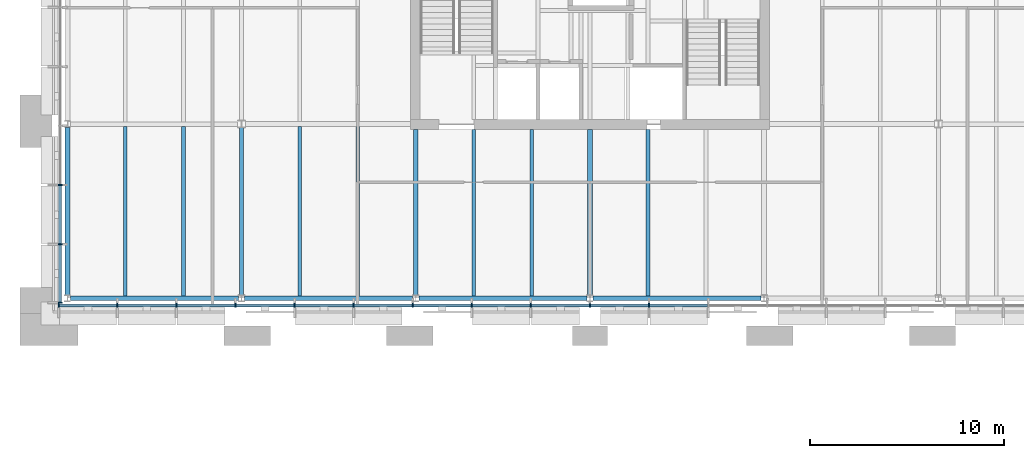
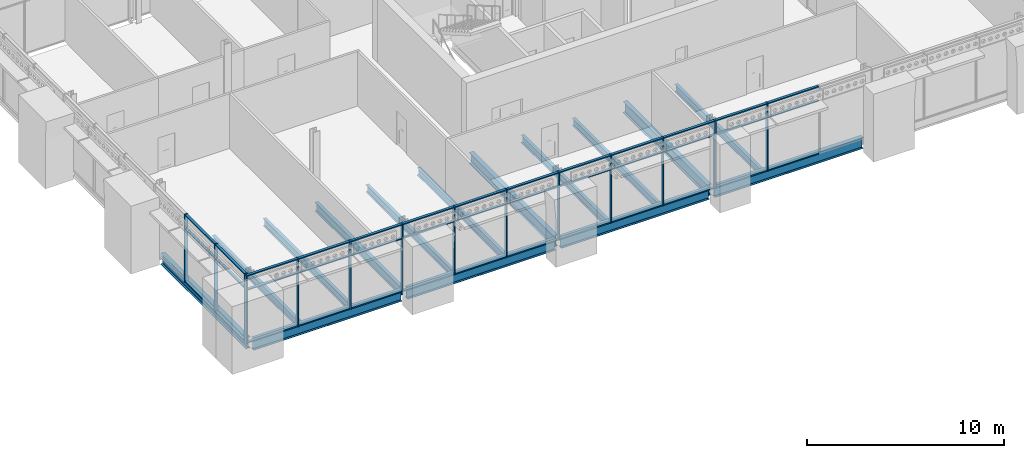
# One storey, part 11 of 37: 53 members, 15 beams, 2 elements without a shape of their own.
"""IFC4 building model written with IfcOpenShell, lengths in metres."""

from ifc_helpers import new_model, si_unit, direction, frame, origin, origin_2d, place, context, subcontext, project, spatial, rectangle, i_section, extrude, material, material_profile, profile_set, type_object, element, aggregate, save


model = new_model("IFC4")

# Units and contexts
model_context = context("Model", 3, precision=1e-05, world=origin(), true_north=direction((0.0, 1.0)))
body_context = subcontext(model_context, "Body", "Model", "MODEL_VIEW")
ifc_project = project(units=[si_unit("LENGTHUNIT", "METRE"), si_unit("AREAUNIT", "SQUARE_METRE"), si_unit("VOLUMEUNIT", "CUBIC_METRE"), si_unit("PLANEANGLEUNIT", "RADIAN"), si_unit("MASSUNIT", "GRAM", prefix="KILO")], contexts=[model_context])

# Site, building, storey
site_placement = place(None, origin())
site = spatial("IfcSite", under=ifc_project, at=site_placement, CompositionType="ELEMENT")
building_placement = place(site_placement, origin())
building = spatial("IfcBuilding", under=site, at=building_placement, Name="Baradari Gate Terminus", CompositionType="ELEMENT")
storey_placement = place(building_placement, frame((0.0, 0.0, 24.300048828125)))
storey = spatial("IfcBuildingStorey", under=building, at=storey_placement, Name="L05", CompositionType="ELEMENT", Elevation=24.300048828125)

# Curtain wall, members
ifc_material_1 = material(Name="Aluminium 6063-T6", Category="aluminium")
curtain_wall_type = type_object("IfcCurtainWallType", Name="Curtain wall CW-1 block unitised, zone L02-L05", PredefinedType="NOTDEFINED", material=ifc_material_1)
curtain_wall_1_placement = place(storey_placement, origin())
curtain_wall_1 = element("IfcCurtainWall", 1, at=curtain_wall_1_placement, inside=storey, type_object=curtain_wall_type, Name="Curtain wall CW-1 Operations block S face L05", PredefinedType="NOTDEFINED")
ifc_material_2 = material(Name="Aluminium 6063-T6", Category="aluminium")
ifc_material_profile_1 = material_profile(ifc_material_2, rectangle(XDim=0.199951171875, YDim=0.06494140625, at=origin_2d()), Name="CM-1 65X200")
ifc_profile_set_1 = profile_set([ifc_material_profile_1], Name="Aluminium 6063-T6")
member_type_1 = type_object("IfcMemberType", Name="Curtain wall mullion CM-1 65x200", PredefinedType="MULLION", material=ifc_profile_set_1)
member_1_placement = place(storey_placement, frame((8.5625, 116.6298828125, 0.0), z_axis=(0.0, 0.0, 1.0), x_axis=(0.0, 1.0, 0.0)))
member_1 = element("IfcMember", 2, at=member_1_placement, type_object=member_type_1, Name="CW-1 mullion 1", PredefinedType="MULLION", context=body_context, shape_type="SweptSolid", body=[
    extrude(rectangle(XDim=0.199951171875, YDim=0.06494140625, at=origin_2d()), origin(), (0.0, 0.0, 1.0), 4.199951171875),
])
member_2_placement = place(storey_placement, frame((11.582275390625, 116.6298828125, 0.0), z_axis=(0.0, 0.0, 1.0), x_axis=(0.0, 1.0, 0.0)))
member_2 = element("IfcMember", 3, at=member_2_placement, type_object=member_type_1, Name="CW-1 mullion 2", PredefinedType="MULLION", context=body_context, shape_type="SweptSolid", body=[
    extrude(rectangle(XDim=0.199951171875, YDim=0.06494140625, at=origin_2d()), origin(), (0.0, 0.0, 1.0), 4.199951171875),
])
member_3_placement = place(storey_placement, frame((14.634521484375, 116.6298828125, 0.0), z_axis=(0.0, 0.0, 1.0), x_axis=(0.0, 1.0, 0.0)))
member_3 = element("IfcMember", 4, at=member_3_placement, type_object=member_type_1, Name="CW-1 mullion 3", PredefinedType="MULLION", context=body_context, shape_type="SweptSolid", body=[
    extrude(rectangle(XDim=0.199951171875, YDim=0.06494140625, at=origin_2d()), origin(), (0.0, 0.0, 1.0), 4.199951171875),
])
member_4_placement = place(storey_placement, frame((17.686767578125, 116.6298828125, 0.0), z_axis=(0.0, 0.0, 1.0), x_axis=(0.0, 1.0, 0.0)))
member_4 = element("IfcMember", 5, at=member_4_placement, type_object=member_type_1, Name="CW-1 mullion 4", PredefinedType="MULLION", context=body_context, shape_type="SweptSolid", body=[
    extrude(rectangle(XDim=0.199951171875, YDim=0.06494140625, at=origin_2d()), origin(), (0.0, 0.0, 1.0), 4.199951171875),
])
member_5_placement = place(storey_placement, frame((20.73876953125, 116.6298828125, 0.0), z_axis=(0.0, 0.0, 1.0), x_axis=(0.0, 1.0, 0.0)))
member_5 = element("IfcMember", 6, at=member_5_placement, type_object=member_type_1, Name="CW-1 mullion 5", PredefinedType="MULLION", context=body_context, shape_type="SweptSolid", body=[
    extrude(rectangle(XDim=0.199951171875, YDim=0.06494140625, at=origin_2d()), origin(), (0.0, 0.0, 1.0), 4.199951171875),
])
member_6_placement = place(storey_placement, frame((23.791015625, 116.6298828125, 0.0), z_axis=(0.0, 0.0, 1.0), x_axis=(0.0, 1.0, 0.0)))
member_6 = element("IfcMember", 7, at=member_6_placement, type_object=member_type_1, Name="CW-1 mullion 6", PredefinedType="MULLION", context=body_context, shape_type="SweptSolid", body=[
    extrude(rectangle(XDim=0.199951171875, YDim=0.06494140625, at=origin_2d()), origin(), (0.0, 0.0, 1.0), 4.199951171875),
])
member_7_placement = place(storey_placement, frame((26.84326171875, 116.6298828125, 0.0), z_axis=(0.0, 0.0, 1.0), x_axis=(0.0, 1.0, 0.0)))
member_7 = element("IfcMember", 8, at=member_7_placement, type_object=member_type_1, Name="CW-1 mullion 7", PredefinedType="MULLION", context=body_context, shape_type="SweptSolid", body=[
    extrude(rectangle(XDim=0.199951171875, YDim=0.06494140625, at=origin_2d()), origin(), (0.0, 0.0, 1.0), 4.199951171875),
])
member_8_placement = place(storey_placement, frame((29.8955078125, 116.6298828125, 0.0), z_axis=(0.0, 0.0, 1.0), x_axis=(0.0, 1.0, 0.0)))
member_8 = element("IfcMember", 9, at=member_8_placement, type_object=member_type_1, Name="CW-1 mullion 8", PredefinedType="MULLION", context=body_context, shape_type="SweptSolid", body=[
    extrude(rectangle(XDim=0.199951171875, YDim=0.06494140625, at=origin_2d()), origin(), (0.0, 0.0, 1.0), 4.199951171875),
])
member_9_placement = place(storey_placement, frame((32.94775390625, 116.6298828125, 0.0), z_axis=(0.0, 0.0, 1.0), x_axis=(0.0, 1.0, 0.0)))
member_9 = element("IfcMember", 10, at=member_9_placement, type_object=member_type_1, Name="CW-1 mullion 9", PredefinedType="MULLION", context=body_context, shape_type="SweptSolid", body=[
    extrude(rectangle(XDim=0.199951171875, YDim=0.06494140625, at=origin_2d()), origin(), (0.0, 0.0, 1.0), 4.199951171875),
])
member_10_placement = place(storey_placement, frame((36.0, 116.6298828125, 0.0), z_axis=(0.0, 0.0, 1.0), x_axis=(0.0, 1.0, 0.0)))
member_10 = element("IfcMember", 11, at=member_10_placement, type_object=member_type_1, Name="CW-1 mullion 10", PredefinedType="MULLION", context=body_context, shape_type="SweptSolid", body=[
    extrude(rectangle(XDim=0.199951171875, YDim=0.06494140625, at=origin_2d()), origin(), (0.0, 0.0, 1.0), 4.199951171875),
])
member_11_placement = place(storey_placement, frame((39.05224609375, 116.6298828125, 0.0), z_axis=(0.0, 0.0, 1.0), x_axis=(0.0, 1.0, 0.0)))
member_11 = element("IfcMember", 12, at=member_11_placement, type_object=member_type_1, Name="CW-1 mullion 11", PredefinedType="MULLION", context=body_context, shape_type="SweptSolid", body=[
    extrude(rectangle(XDim=0.199951171875, YDim=0.06494140625, at=origin_2d()), origin(), (0.0, 0.0, 1.0), 4.199951171875),
])

curtain_wall_2_placement = place(storey_placement, origin())
curtain_wall_2 = element("IfcCurtainWall", 13, at=curtain_wall_2_placement, inside=storey, type_object=curtain_wall_type, Name="Curtain wall CW-1 Operations block W face L05", PredefinedType="NOTDEFINED")
member_12_placement = place(storey_placement, frame((8.6298828125, 116.762451171875, 0.0), z_axis=(0.0, 0.0, 1.0), x_axis=(-1.0, 0.0, 0.0)))
member_12 = element("IfcMember", 14, at=member_12_placement, type_object=member_type_1, Name="CW-1 mullion 1", PredefinedType="MULLION", context=body_context, shape_type="SweptSolid", body=[
    extrude(rectangle(XDim=0.199951171875, YDim=0.06494140625, at=origin_2d()), origin(), (0.0, 0.0, 1.0), 4.199951171875),
])
member_13_placement = place(storey_placement, frame((8.6298828125, 119.7900390625, 0.0), z_axis=(0.0, 0.0, 1.0), x_axis=(-1.0, 0.0, 0.0)))
member_13 = element("IfcMember", 15, at=member_13_placement, type_object=member_type_1, Name="CW-1 mullion 2", PredefinedType="MULLION", context=body_context, shape_type="SweptSolid", body=[
    extrude(rectangle(XDim=0.199951171875, YDim=0.06494140625, at=origin_2d()), origin(), (0.0, 0.0, 1.0), 4.199951171875),
])
member_14_placement = place(storey_placement, frame((8.6298828125, 122.85009765625, 0.0), z_axis=(0.0, 0.0, 1.0), x_axis=(-1.0, 0.0, 0.0)))
member_14 = element("IfcMember", 16, at=member_14_placement, type_object=member_type_1, Name="CW-1 mullion 3", PredefinedType="MULLION", context=body_context, shape_type="SweptSolid", body=[
    extrude(rectangle(XDim=0.199951171875, YDim=0.06494140625, at=origin_2d()), origin(), (0.0, 0.0, 1.0), 4.199951171875),
])

# Member
ifc_material_3 = material(Name="Aluminium 6063-T6", Category="aluminium")
ifc_material_profile_2 = material_profile(ifc_material_3, rectangle(XDim=0.14990234375, YDim=0.06494140625, at=origin_2d()), Name="CT-1 65X150")
ifc_profile_set_2 = profile_set([ifc_material_profile_2], Name="Aluminium 6063-T6")
member_type_2 = type_object("IfcMemberType", Name="Curtain wall transom CT-1 65x150", PredefinedType="USERDEFINED", material=ifc_profile_set_2)
member_15_placement = place(storey_placement, frame((8.594970703125, 116.6298828125, 0.032470703125), z_axis=(1.0, 0.0, 0.0), x_axis=(0.0, 1.0, 0.0)))
member_15 = element("IfcMember", 17, at=member_15_placement, type_object=member_type_2, Name="CW-1 transom 1.1", ObjectType="TRANSOM", PredefinedType="USERDEFINED", context=body_context, shape_type="SweptSolid", body=[
    extrude(rectangle(XDim=0.14990234375, YDim=0.06494140625, at=origin_2d()), origin(), (0.0, 0.0, 1.0), 2.954833984375),
])

member_16_placement = place(storey_placement, frame((8.594970703125, 116.6298828125, 3.300048828125), z_axis=(1.0, 0.0, 0.0), x_axis=(0.0, 1.0, 0.0)))
member_16 = element("IfcMember", 18, at=member_16_placement, type_object=member_type_2, Name="CW-1 transom 1.2", ObjectType="TRANSOM", PredefinedType="USERDEFINED", context=body_context, shape_type="SweptSolid", body=[
    extrude(rectangle(XDim=0.14990234375, YDim=0.06494140625, at=origin_2d()), origin(), (0.0, 0.0, 1.0), 2.954833984375),
])

member_17_placement = place(storey_placement, frame((8.594970703125, 116.6298828125, 4.16748046875), z_axis=(1.0, 0.0, 0.0), x_axis=(0.0, 1.0, 0.0)))
member_17 = element("IfcMember", 19, at=member_17_placement, type_object=member_type_2, Name="CW-1 transom 1.3", ObjectType="TRANSOM", PredefinedType="USERDEFINED", context=body_context, shape_type="SweptSolid", body=[
    extrude(rectangle(XDim=0.14990234375, YDim=0.06494140625, at=origin_2d()), origin(), (0.0, 0.0, 1.0), 2.954833984375),
])

member_18_placement = place(storey_placement, frame((11.61474609375, 116.6298828125, 0.032470703125), z_axis=(1.0, 0.0, 0.0), x_axis=(0.0, 1.0, 0.0)))
member_18 = element("IfcMember", 20, at=member_18_placement, type_object=member_type_2, Name="CW-1 transom 2.1", ObjectType="TRANSOM", PredefinedType="USERDEFINED", context=body_context, shape_type="SweptSolid", body=[
    extrude(rectangle(XDim=0.14990234375, YDim=0.06494140625, at=origin_2d()), origin(), (0.0, 0.0, 1.0), 2.9873046875),
])

member_19_placement = place(storey_placement, frame((11.61474609375, 116.6298828125, 3.300048828125), z_axis=(1.0, 0.0, 0.0), x_axis=(0.0, 1.0, 0.0)))
member_19 = element("IfcMember", 21, at=member_19_placement, type_object=member_type_2, Name="CW-1 transom 2.2", ObjectType="TRANSOM", PredefinedType="USERDEFINED", context=body_context, shape_type="SweptSolid", body=[
    extrude(rectangle(XDim=0.14990234375, YDim=0.06494140625, at=origin_2d()), origin(), (0.0, 0.0, 1.0), 2.9873046875),
])

member_20_placement = place(storey_placement, frame((11.61474609375, 116.6298828125, 4.16748046875), z_axis=(1.0, 0.0, 0.0), x_axis=(0.0, 1.0, 0.0)))
member_20 = element("IfcMember", 22, at=member_20_placement, type_object=member_type_2, Name="CW-1 transom 2.3", ObjectType="TRANSOM", PredefinedType="USERDEFINED", context=body_context, shape_type="SweptSolid", body=[
    extrude(rectangle(XDim=0.14990234375, YDim=0.06494140625, at=origin_2d()), origin(), (0.0, 0.0, 1.0), 2.9873046875),
])

member_21_placement = place(storey_placement, frame((14.6669921875, 116.6298828125, 0.032470703125), z_axis=(1.0, 0.0, 0.0), x_axis=(0.0, 1.0, 0.0)))
member_21 = element("IfcMember", 23, at=member_21_placement, type_object=member_type_2, Name="CW-1 transom 3.1", ObjectType="TRANSOM", PredefinedType="USERDEFINED", context=body_context, shape_type="SweptSolid", body=[
    extrude(rectangle(XDim=0.14990234375, YDim=0.06494140625, at=origin_2d()), origin(), (0.0, 0.0, 1.0), 2.987060546875),
])

member_22_placement = place(storey_placement, frame((14.6669921875, 116.6298828125, 3.300048828125), z_axis=(1.0, 0.0, 0.0), x_axis=(0.0, 1.0, 0.0)))
member_22 = element("IfcMember", 24, at=member_22_placement, type_object=member_type_2, Name="CW-1 transom 3.2", ObjectType="TRANSOM", PredefinedType="USERDEFINED", context=body_context, shape_type="SweptSolid", body=[
    extrude(rectangle(XDim=0.14990234375, YDim=0.06494140625, at=origin_2d()), origin(), (0.0, 0.0, 1.0), 2.987060546875),
])

member_23_placement = place(storey_placement, frame((14.6669921875, 116.6298828125, 4.16748046875), z_axis=(1.0, 0.0, 0.0), x_axis=(0.0, 1.0, 0.0)))
member_23 = element("IfcMember", 25, at=member_23_placement, type_object=member_type_2, Name="CW-1 transom 3.3", ObjectType="TRANSOM", PredefinedType="USERDEFINED", context=body_context, shape_type="SweptSolid", body=[
    extrude(rectangle(XDim=0.14990234375, YDim=0.06494140625, at=origin_2d()), origin(), (0.0, 0.0, 1.0), 2.987060546875),
])

member_24_placement = place(storey_placement, frame((17.71923828125, 116.6298828125, 0.032470703125), z_axis=(1.0, 0.0, 0.0), x_axis=(0.0, 1.0, 0.0)))
member_24 = element("IfcMember", 26, at=member_24_placement, type_object=member_type_2, Name="CW-1 transom 4.1", ObjectType="TRANSOM", PredefinedType="USERDEFINED", context=body_context, shape_type="SweptSolid", body=[
    extrude(rectangle(XDim=0.14990234375, YDim=0.06494140625, at=origin_2d()), origin(), (0.0, 0.0, 1.0), 2.987060546875),
])

member_25_placement = place(storey_placement, frame((17.71923828125, 116.6298828125, 3.300048828125), z_axis=(1.0, 0.0, 0.0), x_axis=(0.0, 1.0, 0.0)))
member_25 = element("IfcMember", 27, at=member_25_placement, type_object=member_type_2, Name="CW-1 transom 4.2", ObjectType="TRANSOM", PredefinedType="USERDEFINED", context=body_context, shape_type="SweptSolid", body=[
    extrude(rectangle(XDim=0.14990234375, YDim=0.06494140625, at=origin_2d()), origin(), (0.0, 0.0, 1.0), 2.987060546875),
])

member_26_placement = place(storey_placement, frame((17.71923828125, 116.6298828125, 4.16748046875), z_axis=(1.0, 0.0, 0.0), x_axis=(0.0, 1.0, 0.0)))
member_26 = element("IfcMember", 28, at=member_26_placement, type_object=member_type_2, Name="CW-1 transom 4.3", ObjectType="TRANSOM", PredefinedType="USERDEFINED", context=body_context, shape_type="SweptSolid", body=[
    extrude(rectangle(XDim=0.14990234375, YDim=0.06494140625, at=origin_2d()), origin(), (0.0, 0.0, 1.0), 2.987060546875),
])

member_27_placement = place(storey_placement, frame((20.771484375, 116.6298828125, 0.032470703125), z_axis=(1.0, 0.0, 0.0), x_axis=(0.0, 1.0, 0.0)))
member_27 = element("IfcMember", 29, at=member_27_placement, type_object=member_type_2, Name="CW-1 transom 5.1", ObjectType="TRANSOM", PredefinedType="USERDEFINED", context=body_context, shape_type="SweptSolid", body=[
    extrude(rectangle(XDim=0.14990234375, YDim=0.06494140625, at=origin_2d()), origin(), (0.0, 0.0, 1.0), 2.987060546875),
])

member_28_placement = place(storey_placement, frame((20.771484375, 116.6298828125, 3.300048828125), z_axis=(1.0, 0.0, 0.0), x_axis=(0.0, 1.0, 0.0)))
member_28 = element("IfcMember", 30, at=member_28_placement, type_object=member_type_2, Name="CW-1 transom 5.2", ObjectType="TRANSOM", PredefinedType="USERDEFINED", context=body_context, shape_type="SweptSolid", body=[
    extrude(rectangle(XDim=0.14990234375, YDim=0.06494140625, at=origin_2d()), origin(), (0.0, 0.0, 1.0), 2.987060546875),
])

member_29_placement = place(storey_placement, frame((20.771484375, 116.6298828125, 4.16748046875), z_axis=(1.0, 0.0, 0.0), x_axis=(0.0, 1.0, 0.0)))
member_29 = element("IfcMember", 31, at=member_29_placement, type_object=member_type_2, Name="CW-1 transom 5.3", ObjectType="TRANSOM", PredefinedType="USERDEFINED", context=body_context, shape_type="SweptSolid", body=[
    extrude(rectangle(XDim=0.14990234375, YDim=0.06494140625, at=origin_2d()), origin(), (0.0, 0.0, 1.0), 2.987060546875),
])

member_30_placement = place(storey_placement, frame((23.82373046875, 116.6298828125, 0.032470703125), z_axis=(1.0, 0.0, 0.0), x_axis=(0.0, 1.0, 0.0)))
member_30 = element("IfcMember", 32, at=member_30_placement, type_object=member_type_2, Name="CW-1 transom 6.1", ObjectType="TRANSOM", PredefinedType="USERDEFINED", context=body_context, shape_type="SweptSolid", body=[
    extrude(rectangle(XDim=0.14990234375, YDim=0.06494140625, at=origin_2d()), origin(), (0.0, 0.0, 1.0), 2.987060546875),
])

member_31_placement = place(storey_placement, frame((23.82373046875, 116.6298828125, 3.300048828125), z_axis=(1.0, 0.0, 0.0), x_axis=(0.0, 1.0, 0.0)))
member_31 = element("IfcMember", 33, at=member_31_placement, type_object=member_type_2, Name="CW-1 transom 6.2", ObjectType="TRANSOM", PredefinedType="USERDEFINED", context=body_context, shape_type="SweptSolid", body=[
    extrude(rectangle(XDim=0.14990234375, YDim=0.06494140625, at=origin_2d()), origin(), (0.0, 0.0, 1.0), 2.987060546875),
])

member_32_placement = place(storey_placement, frame((23.82373046875, 116.6298828125, 4.16748046875), z_axis=(1.0, 0.0, 0.0), x_axis=(0.0, 1.0, 0.0)))
member_32 = element("IfcMember", 34, at=member_32_placement, type_object=member_type_2, Name="CW-1 transom 6.3", ObjectType="TRANSOM", PredefinedType="USERDEFINED", context=body_context, shape_type="SweptSolid", body=[
    extrude(rectangle(XDim=0.14990234375, YDim=0.06494140625, at=origin_2d()), origin(), (0.0, 0.0, 1.0), 2.987060546875),
])

member_33_placement = place(storey_placement, frame((26.875732421875, 116.6298828125, 0.032470703125), z_axis=(1.0, 0.0, 0.0), x_axis=(0.0, 1.0, 0.0)))
member_33 = element("IfcMember", 35, at=member_33_placement, type_object=member_type_2, Name="CW-1 transom 7.1", ObjectType="TRANSOM", PredefinedType="USERDEFINED", context=body_context, shape_type="SweptSolid", body=[
    extrude(rectangle(XDim=0.14990234375, YDim=0.06494140625, at=origin_2d()), origin(), (0.0, 0.0, 1.0), 2.9873046875),
])

member_34_placement = place(storey_placement, frame((26.875732421875, 116.6298828125, 3.300048828125), z_axis=(1.0, 0.0, 0.0), x_axis=(0.0, 1.0, 0.0)))
member_34 = element("IfcMember", 36, at=member_34_placement, type_object=member_type_2, Name="CW-1 transom 7.2", ObjectType="TRANSOM", PredefinedType="USERDEFINED", context=body_context, shape_type="SweptSolid", body=[
    extrude(rectangle(XDim=0.14990234375, YDim=0.06494140625, at=origin_2d()), origin(), (0.0, 0.0, 1.0), 2.9873046875),
])

member_35_placement = place(storey_placement, frame((26.875732421875, 116.6298828125, 4.16748046875), z_axis=(1.0, 0.0, 0.0), x_axis=(0.0, 1.0, 0.0)))
member_35 = element("IfcMember", 37, at=member_35_placement, type_object=member_type_2, Name="CW-1 transom 7.3", ObjectType="TRANSOM", PredefinedType="USERDEFINED", context=body_context, shape_type="SweptSolid", body=[
    extrude(rectangle(XDim=0.14990234375, YDim=0.06494140625, at=origin_2d()), origin(), (0.0, 0.0, 1.0), 2.9873046875),
])

member_36_placement = place(storey_placement, frame((29.927978515625, 116.6298828125, 0.032470703125), z_axis=(1.0, 0.0, 0.0), x_axis=(0.0, 1.0, 0.0)))
member_36 = element("IfcMember", 38, at=member_36_placement, type_object=member_type_2, Name="CW-1 transom 8.1", ObjectType="TRANSOM", PredefinedType="USERDEFINED", context=body_context, shape_type="SweptSolid", body=[
    extrude(rectangle(XDim=0.14990234375, YDim=0.06494140625, at=origin_2d()), origin(), (0.0, 0.0, 1.0), 2.9873046875),
])

member_37_placement = place(storey_placement, frame((29.927978515625, 116.6298828125, 3.300048828125), z_axis=(1.0, 0.0, 0.0), x_axis=(0.0, 1.0, 0.0)))
member_37 = element("IfcMember", 39, at=member_37_placement, type_object=member_type_2, Name="CW-1 transom 8.2", ObjectType="TRANSOM", PredefinedType="USERDEFINED", context=body_context, shape_type="SweptSolid", body=[
    extrude(rectangle(XDim=0.14990234375, YDim=0.06494140625, at=origin_2d()), origin(), (0.0, 0.0, 1.0), 2.9873046875),
])

member_38_placement = place(storey_placement, frame((29.927978515625, 116.6298828125, 4.16748046875), z_axis=(1.0, 0.0, 0.0), x_axis=(0.0, 1.0, 0.0)))
member_38 = element("IfcMember", 40, at=member_38_placement, type_object=member_type_2, Name="CW-1 transom 8.3", ObjectType="TRANSOM", PredefinedType="USERDEFINED", context=body_context, shape_type="SweptSolid", body=[
    extrude(rectangle(XDim=0.14990234375, YDim=0.06494140625, at=origin_2d()), origin(), (0.0, 0.0, 1.0), 2.9873046875),
])

member_39_placement = place(storey_placement, frame((32.980224609375, 116.6298828125, 0.032470703125), z_axis=(1.0, 0.0, 0.0), x_axis=(0.0, 1.0, 0.0)))
member_39 = element("IfcMember", 41, at=member_39_placement, type_object=member_type_2, Name="CW-1 transom 9.1", ObjectType="TRANSOM", PredefinedType="USERDEFINED", context=body_context, shape_type="SweptSolid", body=[
    extrude(rectangle(XDim=0.14990234375, YDim=0.06494140625, at=origin_2d()), origin(), (0.0, 0.0, 1.0), 2.9873046875),
])

member_40_placement = place(storey_placement, frame((32.980224609375, 116.6298828125, 3.300048828125), z_axis=(1.0, 0.0, 0.0), x_axis=(0.0, 1.0, 0.0)))
member_40 = element("IfcMember", 42, at=member_40_placement, type_object=member_type_2, Name="CW-1 transom 9.2", ObjectType="TRANSOM", PredefinedType="USERDEFINED", context=body_context, shape_type="SweptSolid", body=[
    extrude(rectangle(XDim=0.14990234375, YDim=0.06494140625, at=origin_2d()), origin(), (0.0, 0.0, 1.0), 2.9873046875),
])

member_41_placement = place(storey_placement, frame((32.980224609375, 116.6298828125, 4.16748046875), z_axis=(1.0, 0.0, 0.0), x_axis=(0.0, 1.0, 0.0)))
member_41 = element("IfcMember", 43, at=member_41_placement, type_object=member_type_2, Name="CW-1 transom 9.3", ObjectType="TRANSOM", PredefinedType="USERDEFINED", context=body_context, shape_type="SweptSolid", body=[
    extrude(rectangle(XDim=0.14990234375, YDim=0.06494140625, at=origin_2d()), origin(), (0.0, 0.0, 1.0), 2.9873046875),
])

member_42_placement = place(storey_placement, frame((36.032470703125, 116.6298828125, 0.032470703125), z_axis=(1.0, 0.0, 0.0), x_axis=(0.0, 1.0, 0.0)))
member_42 = element("IfcMember", 44, at=member_42_placement, type_object=member_type_2, Name="CW-1 transom 10.1", ObjectType="TRANSOM", PredefinedType="USERDEFINED", context=body_context, shape_type="SweptSolid", body=[
    extrude(rectangle(XDim=0.14990234375, YDim=0.06494140625, at=origin_2d()), origin(), (0.0, 0.0, 1.0), 2.9873046875),
])

member_43_placement = place(storey_placement, frame((36.032470703125, 116.6298828125, 3.300048828125), z_axis=(1.0, 0.0, 0.0), x_axis=(0.0, 1.0, 0.0)))
member_43 = element("IfcMember", 45, at=member_43_placement, type_object=member_type_2, Name="CW-1 transom 10.2", ObjectType="TRANSOM", PredefinedType="USERDEFINED", context=body_context, shape_type="SweptSolid", body=[
    extrude(rectangle(XDim=0.14990234375, YDim=0.06494140625, at=origin_2d()), origin(), (0.0, 0.0, 1.0), 2.9873046875),
])

member_44_placement = place(storey_placement, frame((36.032470703125, 116.6298828125, 4.16748046875), z_axis=(1.0, 0.0, 0.0), x_axis=(0.0, 1.0, 0.0)))
member_44 = element("IfcMember", 46, at=member_44_placement, type_object=member_type_2, Name="CW-1 transom 10.3", ObjectType="TRANSOM", PredefinedType="USERDEFINED", context=body_context, shape_type="SweptSolid", body=[
    extrude(rectangle(XDim=0.14990234375, YDim=0.06494140625, at=origin_2d()), origin(), (0.0, 0.0, 1.0), 2.9873046875),
])

member_45_placement = place(storey_placement, frame((39.084716796875, 116.6298828125, 0.032470703125), z_axis=(1.0, 0.0, 0.0), x_axis=(0.0, 1.0, 0.0)))
member_45 = element("IfcMember", 47, at=member_45_placement, type_object=member_type_2, Name="CW-1 transom 11.1", ObjectType="TRANSOM", PredefinedType="USERDEFINED", context=body_context, shape_type="SweptSolid", body=[
    extrude(rectangle(XDim=0.14990234375, YDim=0.06494140625, at=origin_2d()), origin(), (0.0, 0.0, 1.0), 2.9873046875),
])

member_46_placement = place(storey_placement, frame((39.084716796875, 116.6298828125, 3.300048828125), z_axis=(1.0, 0.0, 0.0), x_axis=(0.0, 1.0, 0.0)))
member_46 = element("IfcMember", 48, at=member_46_placement, type_object=member_type_2, Name="CW-1 transom 11.2", ObjectType="TRANSOM", PredefinedType="USERDEFINED", context=body_context, shape_type="SweptSolid", body=[
    extrude(rectangle(XDim=0.14990234375, YDim=0.06494140625, at=origin_2d()), origin(), (0.0, 0.0, 1.0), 2.9873046875),
])

member_47_placement = place(storey_placement, frame((39.084716796875, 116.6298828125, 4.16748046875), z_axis=(1.0, 0.0, 0.0), x_axis=(0.0, 1.0, 0.0)))
member_47 = element("IfcMember", 49, at=member_47_placement, type_object=member_type_2, Name="CW-1 transom 11.3", ObjectType="TRANSOM", PredefinedType="USERDEFINED", context=body_context, shape_type="SweptSolid", body=[
    extrude(rectangle(XDim=0.14990234375, YDim=0.06494140625, at=origin_2d()), origin(), (0.0, 0.0, 1.0), 2.9873046875),
])

aggregate(curtain_wall_1, [member_1, member_2, member_3, member_4, member_5, member_6, member_7, member_8, member_9, member_10, member_11, member_15, member_16, member_17, member_18, member_19, member_20, member_21, member_22, member_23, member_24, member_25, member_26, member_27, member_28, member_29, member_30, member_31, member_32, member_33, member_34, member_35, member_36, member_37, member_38, member_39, member_40, member_41, member_42, member_43, member_44, member_45, member_46, member_47])

member_48_placement = place(storey_placement, frame((8.6298828125, 116.794921875, 0.032470703125), z_axis=(0.0, 1.0, 0.0), x_axis=(-1.0, 0.0, 0.0)))
member_48 = element("IfcMember", 50, at=member_48_placement, type_object=member_type_2, Name="CW-1 transom 1.1", ObjectType="TRANSOM", PredefinedType="USERDEFINED", context=body_context, shape_type="SweptSolid", body=[
    extrude(rectangle(XDim=0.14990234375, YDim=0.06494140625, at=origin_2d()), origin(), (0.0, 0.0, 1.0), 2.962646484375),
])

member_49_placement = place(storey_placement, frame((8.6298828125, 116.794921875, 3.300048828125), z_axis=(0.0, 1.0, 0.0), x_axis=(-1.0, 0.0, 0.0)))
member_49 = element("IfcMember", 51, at=member_49_placement, type_object=member_type_2, Name="CW-1 transom 1.2", ObjectType="TRANSOM", PredefinedType="USERDEFINED", context=body_context, shape_type="SweptSolid", body=[
    extrude(rectangle(XDim=0.14990234375, YDim=0.06494140625, at=origin_2d()), origin(), (0.0, 0.0, 1.0), 2.962646484375),
])

member_50_placement = place(storey_placement, frame((8.6298828125, 116.794921875, 4.16748046875), z_axis=(0.0, 1.0, 0.0), x_axis=(-1.0, 0.0, 0.0)))
member_50 = element("IfcMember", 52, at=member_50_placement, type_object=member_type_2, Name="CW-1 transom 1.3", ObjectType="TRANSOM", PredefinedType="USERDEFINED", context=body_context, shape_type="SweptSolid", body=[
    extrude(rectangle(XDim=0.14990234375, YDim=0.06494140625, at=origin_2d()), origin(), (0.0, 0.0, 1.0), 2.962646484375),
])

member_51_placement = place(storey_placement, frame((8.6298828125, 119.822509765625, 0.032470703125), z_axis=(0.0, 1.0, 0.0), x_axis=(-1.0, 0.0, 0.0)))
member_51 = element("IfcMember", 53, at=member_51_placement, type_object=member_type_2, Name="CW-1 transom 2.1", ObjectType="TRANSOM", PredefinedType="USERDEFINED", context=body_context, shape_type="SweptSolid", body=[
    extrude(rectangle(XDim=0.14990234375, YDim=0.06494140625, at=origin_2d()), origin(), (0.0, 0.0, 1.0), 2.994873046875),
])

member_52_placement = place(storey_placement, frame((8.6298828125, 119.822509765625, 3.300048828125), z_axis=(0.0, 1.0, 0.0), x_axis=(-1.0, 0.0, 0.0)))
member_52 = element("IfcMember", 54, at=member_52_placement, type_object=member_type_2, Name="CW-1 transom 2.2", ObjectType="TRANSOM", PredefinedType="USERDEFINED", context=body_context, shape_type="SweptSolid", body=[
    extrude(rectangle(XDim=0.14990234375, YDim=0.06494140625, at=origin_2d()), origin(), (0.0, 0.0, 1.0), 2.994873046875),
])

member_53_placement = place(storey_placement, frame((8.6298828125, 119.822509765625, 4.16748046875), z_axis=(0.0, 1.0, 0.0), x_axis=(-1.0, 0.0, 0.0)))
member_53 = element("IfcMember", 55, at=member_53_placement, type_object=member_type_2, Name="CW-1 transom 2.3", ObjectType="TRANSOM", PredefinedType="USERDEFINED", context=body_context, shape_type="SweptSolid", body=[
    extrude(rectangle(XDim=0.14990234375, YDim=0.06494140625, at=origin_2d()), origin(), (0.0, 0.0, 1.0), 2.994873046875),
])

aggregate(curtain_wall_2, [member_12, member_13, member_14, member_48, member_49, member_50, member_51, member_52, member_53])

# Beams
ifc_material_4 = material(Name="Steel S355", Category="steel")
ifc_material_profile_3 = material_profile(ifc_material_4, i_section(OverallWidth=0.25439453125, OverallDepth=0.6875, WebThickness=0.01318359375, FlangeThickness=0.02099609375, FilletRadius=0.01513671875, at=origin_2d()), Name="UB 686x254x152")
ifc_profile_set_3 = profile_set([ifc_material_profile_3], Name="Steel S355")
beam_type_1 = type_object("IfcBeamType", Name="Operations block coupling beam B26 UB 686x254x152", PredefinedType="BEAM", material=ifc_profile_set_3)
for number, where, z_axis, x_axis, name in (
    (56, (27.0, 117.169921875, -0.473876953125), (0.0, 1.0, 0.0), (-1.0, 0.0, 0.0), "Operations block coupling beam B26 4:117.17-125.725 L05"),
    (57, (36.0, 117.169921875, -0.473876953125), (0.0, 1.0, 0.0), (-1.0, 0.0, 0.0), "Operations block coupling beam B26 5:117.17-125.725 L05"),
):
    element("IfcBeam", number, at=place(storey_placement, frame(where, z_axis=z_axis, x_axis=x_axis)), inside=storey, type_object=beam_type_1, Name=name, PredefinedType="BEAM", context=body_context, shape_type="SweptSolid", body=[
        extrude(i_section(OverallWidth=0.25439453125, OverallDepth=0.6875, WebThickness=0.01318359375, FlangeThickness=0.02099609375, FilletRadius=0.01513671875, at=origin_2d()), origin(), (0.0, 0.0, 1.0), 8.55517578125),
    ])
ifc_material_5 = material(Name="Steel S355", Category="steel")
ifc_material_profile_4 = material_profile(ifc_material_5, i_section(OverallWidth=0.210693359375, OverallDepth=0.53955078125, WebThickness=0.01171875, FlangeThickness=0.018798828125, FilletRadius=0.0126953125, at=origin_2d()), Name="UB 533x210x109")
ifc_profile_set_4 = profile_set([ifc_material_profile_4], Name="Steel S355")
beam_type_2 = type_object("IfcBeamType", Name="Operations block girder B29 UB 533x210x109", PredefinedType="BEAM", material=ifc_profile_set_4)
beam_1_placement = place(storey_placement, frame((18.0, 117.169921875, -0.39990234375), z_axis=(0.0, 1.0, 0.0), x_axis=(-1.0, 0.0, 0.0)))
element("IfcBeam", 58, at=beam_1_placement, inside=storey, type_object=beam_type_2, Name="Operations block girder B29 3:117.17-125.809 L05", PredefinedType="BEAM", context=body_context, shape_type="SweptSolid", body=[
    extrude(i_section(OverallWidth=0.210693359375, OverallDepth=0.53955078125, WebThickness=0.01171875, FlangeThickness=0.018798828125, FilletRadius=0.0126953125, at=origin_2d()), origin(), (0.0, 0.0, 1.0), 8.6396484375),
])
ifc_material_6 = material(Name="Steel S355", Category="steel")
ifc_material_profile_5 = material_profile(ifc_material_6, i_section(OverallWidth=0.25439453125, OverallDepth=0.6875, WebThickness=0.01318359375, FlangeThickness=0.02099609375, FilletRadius=0.01513671875, at=origin_2d()), Name="UB 686x254x152")
ifc_profile_set_5 = profile_set([ifc_material_profile_5], Name="Steel S355")
beam_type_3 = type_object("IfcBeamType", Name="Operations block moment frame beam B32 UB 686x254x152", PredefinedType="BEAM", material=ifc_profile_set_5)
for number, where, z_axis, x_axis, name in (
    (59, (9.1572265625, 117.0, -0.473876953125), (1.0, 0.0, 0.0), (0.0, 1.0, 0.0), "Operations block moment frame beam B32 P:9.157-17.843 L05"),
    (60, (18.1572265625, 117.0, -0.473876953125), (1.0, 0.0, 0.0), (0.0, 1.0, 0.0), "Operations block moment frame beam B32 P:18.157-26.843 L05"),
    (61, (27.1572265625, 117.0, -0.473876953125), (1.0, 0.0, 0.0), (0.0, 1.0, 0.0), "Operations block moment frame beam B32 P:27.157-35.843 L05"),
    (62, (36.1572265625, 117.0, -0.473876953125), (1.0, 0.0, 0.0), (0.0, 1.0, 0.0), "Operations block moment frame beam B32 P:36.157-44.843 L05"),
):
    element("IfcBeam", number, at=place(storey_placement, frame(where, z_axis=z_axis, x_axis=x_axis)), inside=storey, type_object=beam_type_3, Name=name, PredefinedType="BEAM", context=body_context, shape_type="SweptSolid", body=[
        extrude(i_section(OverallWidth=0.25439453125, OverallDepth=0.6875, WebThickness=0.01318359375, FlangeThickness=0.02099609375, FilletRadius=0.01513671875, at=origin_2d()), origin(), (0.0, 0.0, 1.0), 8.685546875),
    ])
beam_2_placement = place(storey_placement, frame((9.0, 117.169921875, -0.473876953125), z_axis=(0.0, 1.0, 0.0), x_axis=(-1.0, 0.0, 0.0)))
element("IfcBeam", 63, at=beam_2_placement, inside=storey, type_object=beam_type_3, Name="Operations block moment frame beam B32 2:117.17-125.83 L05", PredefinedType="BEAM", context=body_context, shape_type="SweptSolid", body=[
    extrude(i_section(OverallWidth=0.25439453125, OverallDepth=0.6875, WebThickness=0.01318359375, FlangeThickness=0.02099609375, FilletRadius=0.01513671875, at=origin_2d()), origin(), (0.0, 0.0, 1.0), 8.66015625),
])
ifc_material_7 = material(Name="Steel S355", Category="steel")
ifc_material_profile_6 = material_profile(ifc_material_7, i_section(OverallWidth=0.18994140625, OverallDepth=0.453369140625, WebThickness=0.008544921875, FlangeThickness=0.0126953125, FilletRadius=0.01025390625, at=origin_2d()), Name="UB 457x191x67")
ifc_profile_set_6 = profile_set([ifc_material_profile_6], Name="Steel S355")
beam_type_4 = type_object("IfcBeamType", Name="Operations block secondary beam B28 UB 457x191x67", PredefinedType="BEAM", material=ifc_profile_set_6)
for number, where, z_axis, x_axis, name in (
    (64, (12.0, 117.127197265625, -0.356689453125), (0.0, 1.0, 0.0), (-1.0, 0.0, 0.0), "Operations block secondary beam B28 12:117.127-125.885 L05"),
    (65, (15.0, 117.127197265625, -0.356689453125), (0.0, 1.0, 0.0), (-1.0, 0.0, 0.0), "Operations block secondary beam B28 15:117.127-125.885 L05"),
):
    element("IfcBeam", number, at=place(storey_placement, frame(where, z_axis=z_axis, x_axis=x_axis)), inside=storey, type_object=beam_type_4, Name=name, PredefinedType="BEAM", context=body_context, shape_type="SweptSolid", body=[
        extrude(i_section(OverallWidth=0.18994140625, OverallDepth=0.453369140625, WebThickness=0.008544921875, FlangeThickness=0.0126953125, FilletRadius=0.01025390625, at=origin_2d()), origin(), (0.0, 0.0, 1.0), 8.75830078125),
    ])
for number, where, z_axis, x_axis, name in (
    (66, (21.0, 117.127197265625, -0.356689453125), (0.0, 1.0, 0.0), (-1.0, 0.0, 0.0), "Operations block secondary beam B28 21:117.127-125.873 L05"),
    (67, (24.0, 117.127197265625, -0.356689453125), (0.0, 1.0, 0.0), (-1.0, 0.0, 0.0), "Operations block secondary beam B28 24:117.127-125.873 L05"),
):
    element("IfcBeam", number, at=place(storey_placement, frame(where, z_axis=z_axis, x_axis=x_axis)), inside=storey, type_object=beam_type_4, Name=name, PredefinedType="BEAM", context=body_context, shape_type="SweptSolid", body=[
        extrude(i_section(OverallWidth=0.18994140625, OverallDepth=0.453369140625, WebThickness=0.008544921875, FlangeThickness=0.0126953125, FilletRadius=0.01025390625, at=origin_2d()), origin(), (0.0, 0.0, 1.0), 8.74560546875),
    ])
for number, where, z_axis, x_axis, name in (
    (68, (30.0, 117.127197265625, -0.356689453125), (0.0, 1.0, 0.0), (-1.0, 0.0, 0.0), "Operations block secondary beam B28 30:117.127-125.725 L05"),
    (69, (33.0, 117.127197265625, -0.356689453125), (0.0, 1.0, 0.0), (-1.0, 0.0, 0.0), "Operations block secondary beam B28 33:117.127-125.725 L05"),
    (70, (39.0, 117.127197265625, -0.356689453125), (0.0, 1.0, 0.0), (-1.0, 0.0, 0.0), "Operations block secondary beam B28 39:117.127-125.725 L05"),
):
    element("IfcBeam", number, at=place(storey_placement, frame(where, z_axis=z_axis, x_axis=x_axis)), inside=storey, type_object=beam_type_4, Name=name, PredefinedType="BEAM", context=body_context, shape_type="SweptSolid", body=[
        extrude(i_section(OverallWidth=0.18994140625, OverallDepth=0.453369140625, WebThickness=0.008544921875, FlangeThickness=0.0126953125, FilletRadius=0.01025390625, at=origin_2d()), origin(), (0.0, 0.0, 1.0), 8.597900390625),
    ])

save(model, "model.ifc")
